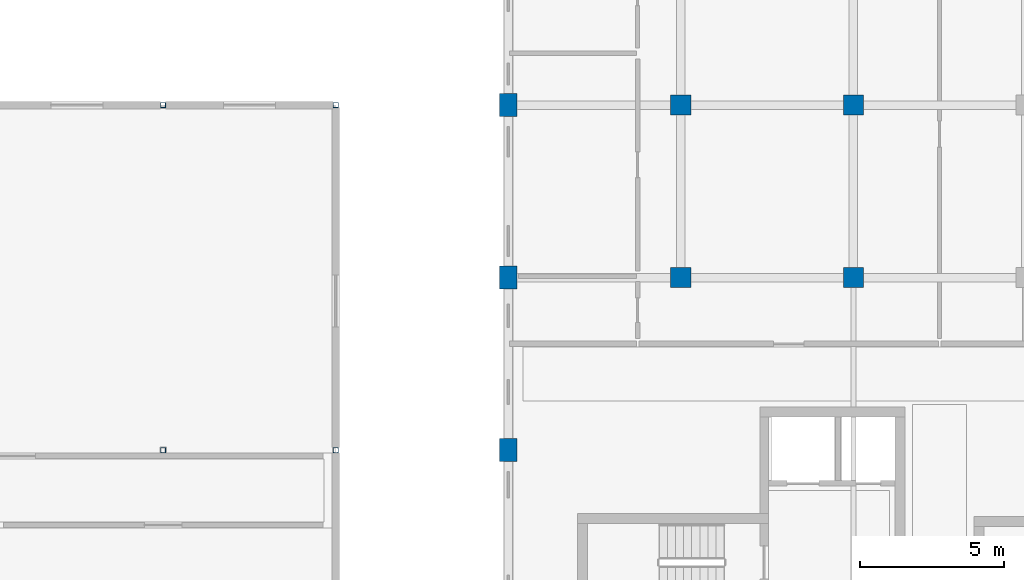
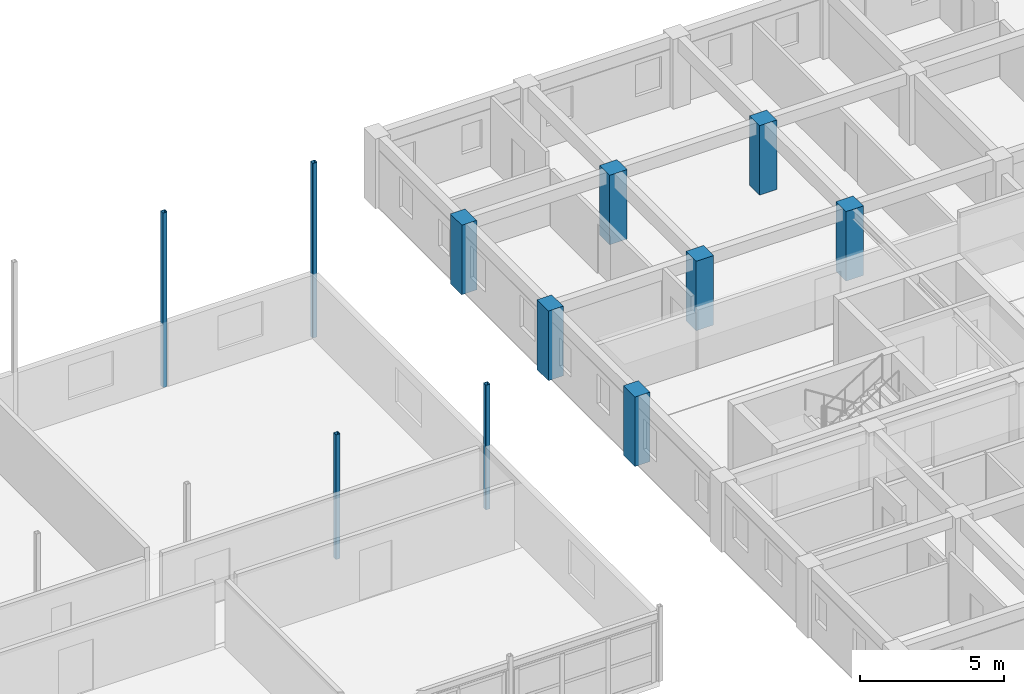
# One storey, part 8 of 137: 11 columns.
"""IFC4 building model written with IfcOpenShell, lengths in metres."""

from ifc_helpers import new_model, si_unit, direction, frame, origin, origin_2d, place, context, subcontext, project, spatial, rectangle, hollow_rectangle, extrude, material, material_profile, profile_set, type_object, element, save


model = new_model("IFC4")

# Units and contexts
model_context = context("Model", 3, precision=1e-05, world=origin(), true_north=direction((0.0, 1.0)))
body_context = subcontext(model_context, "Body", "Model", "MODEL_VIEW")
ifc_project = project(units=[si_unit("LENGTHUNIT", "METRE"), si_unit("AREAUNIT", "SQUARE_METRE"), si_unit("VOLUMEUNIT", "CUBIC_METRE"), si_unit("PLANEANGLEUNIT", "RADIAN"), si_unit("MASSUNIT", "GRAM", prefix="KILO"), si_unit("POWERUNIT", "WATT"), si_unit("THERMODYNAMICTEMPERATUREUNIT", "KELVIN")], contexts=[model_context])

# Site, building, storey
site_placement = place(None, origin())
site = spatial("IfcSite", under=ifc_project, at=site_placement, CompositionType="ELEMENT")
building_placement = place(site_placement, origin())
building = spatial("IfcBuilding", under=site, at=building_placement, Name="Ruvembo Vaulted Housing Court", CompositionType="ELEMENT")
storey_placement = place(building_placement, frame((0.0, 0.0, 4.5)))
storey = spatial("IfcBuildingStorey", under=building, at=storey_placement, Name="L01", CompositionType="ELEMENT", Elevation=4.5)

# Columns
ifc_material_1 = material(Name="Concrete C40/50", Category="concrete")
ifc_material_profile_1 = material_profile(ifc_material_1, rectangle(XDim=0.60009765625, YDim=0.800048828125, at=origin_2d()), Name="RC 600x800")
ifc_profile_set_1 = profile_set([ifc_material_profile_1], Name="Concrete C40/50")
column_type_1 = type_object("IfcColumnType", Name="COL-RC-600x800", PredefinedType="COLUMN", material=ifc_profile_set_1)
for number, where, z_axis, x_axis, name in (
    (1, (48.0, 96.0, 0.0), (0.0, 0.0, 1.0), (1.0, 0.0, 0.0), "L01 Column (48,96)"),
    (2, (48.0, 102.0, 0.0), (0.0, 0.0, 1.0), (1.0, 0.0, 0.0), "L01 Column (48,102)"),
    (3, (48.0, 108.0, 0.0), (0.0, 0.0, 1.0), (1.0, 0.0, 0.0), "L01 Column (48,108)"),
):
    element("IfcColumn", number, at=place(storey_placement, frame(where, z_axis=z_axis, x_axis=x_axis)), inside=storey, type_object=column_type_1, Name=name, PredefinedType="COLUMN", context=body_context, shape_type="SweptSolid", body=[
        extrude(rectangle(XDim=0.60009765625, YDim=0.800048828125, at=origin_2d()), origin(), (0.0, 0.0, 1.0), 2.945068359375),
    ])
ifc_material_profile_2 = material_profile(ifc_material_1, rectangle(XDim=0.699951171875, YDim=0.699951171875, at=origin_2d()), Name="RC 700x700")
ifc_profile_set_2 = profile_set([ifc_material_profile_2], Name="Concrete C40/50")
column_type_2 = type_object("IfcColumnType", Name="COL-RC-700", PredefinedType="COLUMN", material=ifc_profile_set_2)
for number, where, z_axis, x_axis, name in (
    (4, (54.0, 102.0, 0.0), (0.0, 0.0, 1.0), (1.0, 0.0, 0.0), "L01 Column (54,102)"),
    (5, (54.0, 108.0, 0.0), (0.0, 0.0, 1.0), (1.0, 0.0, 0.0), "L01 Column (54,108)"),
    (6, (60.0, 102.0, 0.0), (0.0, 0.0, 1.0), (1.0, 0.0, 0.0), "L01 Column (60,102)"),
    (7, (60.0, 108.0, 0.0), (0.0, 0.0, 1.0), (1.0, 0.0, 0.0), "L01 Column (60,108)"),
):
    element("IfcColumn", number, at=place(storey_placement, frame(where, z_axis=z_axis, x_axis=x_axis)), inside=storey, type_object=column_type_2, Name=name, PredefinedType="COLUMN", context=body_context, shape_type="SweptSolid", body=[
        extrude(rectangle(XDim=0.699951171875, YDim=0.699951171875, at=origin_2d()), origin(), (0.0, 0.0, 1.0), 2.945068359375),
    ])
ifc_material_2 = material(Name="Steel S355J2", Category="steel")
ifc_material_profile_3 = material_profile(ifc_material_2, hollow_rectangle(XDim=0.179931640625, YDim=0.179931640625, WallThickness=0.010009765625, InnerFilletRadius=0.010009765625, OuterFilletRadius=0.02001953125, at=origin_2d()), Name="SHS 180x180x10")
ifc_profile_set_3 = profile_set([ifc_material_profile_3], Name="Steel S355J2")
column_type_3 = type_object("IfcColumnType", Name="COL-ST-SHS180", PredefinedType="COLUMN", material=ifc_profile_set_3)
column_1_placement = place(storey_placement, frame((36.0, 96.0, 0.0), z_axis=(0.0, 0.0, 1.0), x_axis=(1.0, 0.0, 0.0)))
element("IfcColumn", 8, at=column_1_placement, inside=storey, type_object=column_type_3, Name="L01 Column (36,96)", PredefinedType="COLUMN", context=body_context, shape_type="SweptSolid", body=[
    extrude(hollow_rectangle(XDim=0.179931640625, YDim=0.179931640625, WallThickness=0.010009765625, InnerFilletRadius=0.010009765625, OuterFilletRadius=0.02001953125, at=origin_2d()), origin(), (0.0, 0.0, 1.0), 5.27587890625),
])
column_2_placement = place(storey_placement, frame((36.0, 108.0, 0.0), z_axis=(0.0, 0.0, 1.0), x_axis=(1.0, 0.0, 0.0)))
element("IfcColumn", 9, at=column_2_placement, inside=storey, type_object=column_type_3, Name="L01 Column (36,108)", PredefinedType="COLUMN", context=body_context, shape_type="SweptSolid", body=[
    extrude(hollow_rectangle(XDim=0.179931640625, YDim=0.179931640625, WallThickness=0.010009765625, InnerFilletRadius=0.010009765625, OuterFilletRadius=0.02001953125, at=origin_2d()), origin(), (0.0, 0.0, 1.0), 7.391845703125),
])
column_3_placement = place(storey_placement, frame((42.0, 96.0, 0.0), z_axis=(0.0, 0.0, 1.0), x_axis=(1.0, 0.0, 0.0)))
element("IfcColumn", 10, at=column_3_placement, inside=storey, type_object=column_type_3, Name="L01 Column (42,96)", PredefinedType="COLUMN", context=body_context, shape_type="SweptSolid", body=[
    extrude(hollow_rectangle(XDim=0.179931640625, YDim=0.179931640625, WallThickness=0.010009765625, InnerFilletRadius=0.010009765625, OuterFilletRadius=0.02001953125, at=origin_2d()), origin(), (0.0, 0.0, 1.0), 5.27587890625),
])
column_4_placement = place(storey_placement, frame((42.0, 108.0, 0.0), z_axis=(0.0, 0.0, 1.0), x_axis=(1.0, 0.0, 0.0)))
element("IfcColumn", 11, at=column_4_placement, inside=storey, type_object=column_type_3, Name="L01 Column (42,108)", PredefinedType="COLUMN", context=body_context, shape_type="SweptSolid", body=[
    extrude(hollow_rectangle(XDim=0.179931640625, YDim=0.179931640625, WallThickness=0.010009765625, InnerFilletRadius=0.010009765625, OuterFilletRadius=0.02001953125, at=origin_2d()), origin(), (0.0, 0.0, 1.0), 7.391845703125),
])

save(model, "model.ifc")
